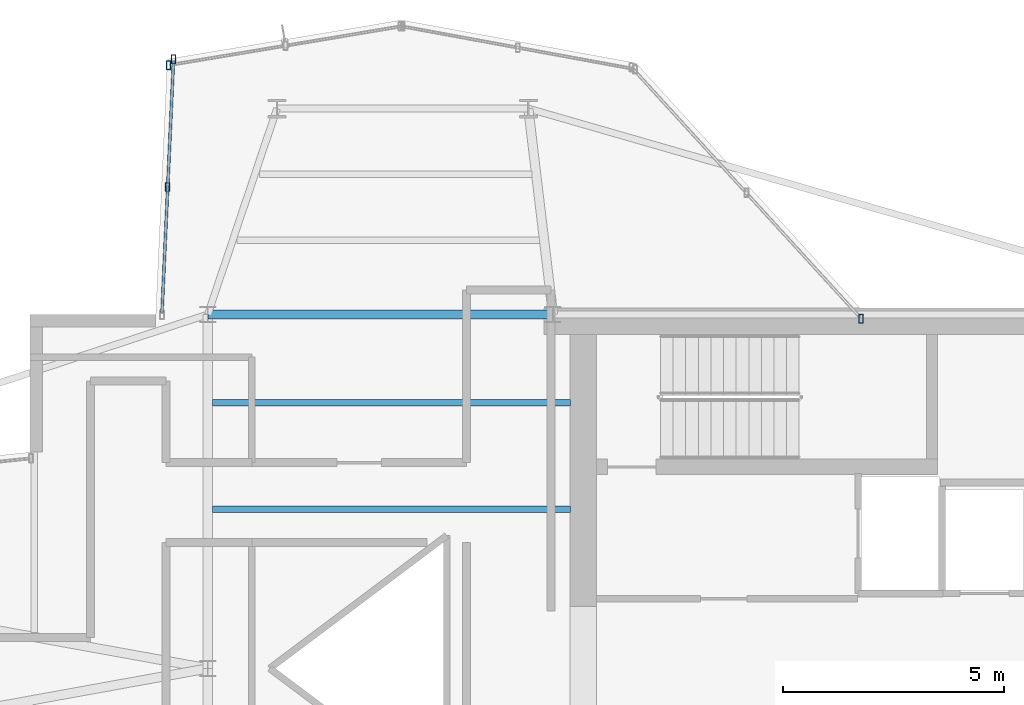
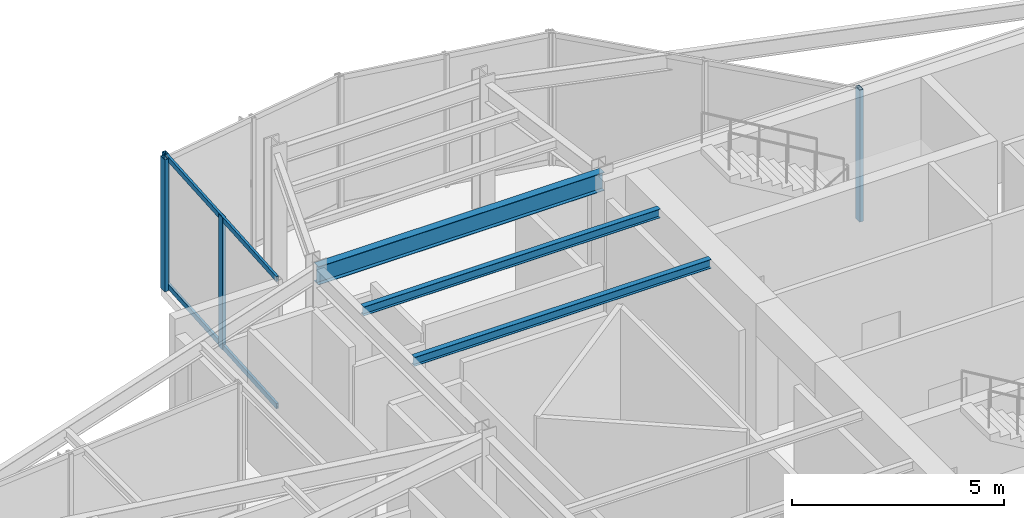
# One storey, part 5 of 14: 6 members, 3 beams, 3 elements without a shape of their own.
"""IFC4 building model written with IfcOpenShell, lengths in metres."""

from ifc_helpers import new_model, si_unit, direction, frame, origin, origin_2d, place, context, subcontext, project, spatial, hollow_rectangle, i_section, extrude, material, layer, layer_set, material_profile, profile_set, type_object, element, aggregate, save


model = new_model("IFC4")

# Units and contexts
model_context = context("Model", 3, precision=1e-05, world=origin(), true_north=direction((0.0, 1.0)))
body_context = subcontext(model_context, "Body", "Model", "MODEL_VIEW")
ifc_project = project(units=[si_unit("LENGTHUNIT", "METRE"), si_unit("AREAUNIT", "SQUARE_METRE"), si_unit("VOLUMEUNIT", "CUBIC_METRE"), si_unit("PLANEANGLEUNIT", "RADIAN"), si_unit("MASSUNIT", "GRAM", prefix="KILO")], contexts=[model_context])

# Site, building, storey
site_placement = place(None, origin())
site = spatial("IfcSite", under=ifc_project, at=site_placement, CompositionType="ELEMENT")
building_placement = place(site_placement, origin())
building = spatial("IfcBuilding", under=site, at=building_placement, Name="Veymaron Broadcast Tower", CompositionType="ELEMENT")
storey_placement = place(building_placement, frame((0.0, 0.0, 283.050048828125)))
storey = spatial("IfcBuildingStorey", under=building, at=storey_placement, Name="L66", CompositionType="ELEMENT", Elevation=283.050048828125)

# Beams
ifc_material_1 = material(Name="Structural steel ASTM A992 Gr 50", Category="steel")
ifc_material_profile_1 = material_profile(ifc_material_1, i_section(OverallWidth=0.208984375, OverallDepth=0.528076171875, WebThickness=0.009521484375, FlangeThickness=0.01318359375, at=origin_2d()), Name="W530X82")
ifc_profile_set_1 = profile_set([ifc_material_profile_1], Name="Structural steel ASTM A992 Gr 50")
beam_type_1 = type_object("IfcBeamType", Name="BM-FG4", PredefinedType="BEAM", material=ifc_profile_set_1)
beam_placement = place(storey_placement, frame((31.199951171875, 32.0, 3.5458984375), z_axis=(1.0, 0.0, 0.0), x_axis=(0.0, 1.0, 0.0)))
element("IfcBeam", 1, at=beam_placement, inside=storey, type_object=beam_type_1, Name="L66 primary structural floor girder", PredefinedType="BEAM", context=body_context, shape_type="SweptSolid", body=[
    extrude(i_section(OverallWidth=0.208984375, OverallDepth=0.528076171875, WebThickness=0.009521484375, FlangeThickness=0.01318359375, at=origin_2d()), origin(), (0.0, 0.0, 1.0), 7.800048828125),
])
ifc_material_profile_2 = material_profile(ifc_material_1, i_section(OverallWidth=0.14599609375, OverallDepth=0.258056640625, WebThickness=0.006103515625, FlangeThickness=0.009033203125, at=origin_2d()), Name="W250X33")
ifc_profile_set_2 = profile_set([ifc_material_profile_2], Name="Structural steel ASTM A992 Gr 50")
beam_type_2 = type_object("IfcBeamType", Name="BM-JS4", PredefinedType="JOIST", material=ifc_profile_set_2)
for number, where, z_axis, x_axis, name in (
    (2, (31.300048828125, 27.60009765625, 3.680908203125), (1.0, 0.0, 0.0), (0.0, 1.0, 0.0), "L66 Hub secondary joist 3"),
    (3, (31.300048828125, 30.0, 3.680908203125), (1.0, 0.0, 0.0), (0.0, 1.0, 0.0), "L66 Hub secondary joist 4"),
):
    element("IfcBeam", number, at=place(storey_placement, frame(where, z_axis=z_axis, x_axis=x_axis)), inside=storey, type_object=beam_type_2, Name=name, PredefinedType="JOIST", context=body_context, shape_type="SweptSolid", body=[
        extrude(i_section(OverallWidth=0.14599609375, OverallDepth=0.258056640625, WebThickness=0.006103515625, FlangeThickness=0.009033203125, at=origin_2d()), origin(), (0.0, 0.0, 1.0), 8.099853515625),
    ])

# Curtain wall, member
ifc_material_2 = material(Name="Anodised aluminium AA 6063-T6 and laminated low-E dark glass", Category="aluminium")
ifc_layer = layer(ifc_material_2, 0.179931640625)
ifc_layer_set = layer_set([ifc_layer], Name="Anodised aluminium AA 6063-T6 and laminated low-E dark glass")
curtain_wall_type = type_object("IfcCurtainWallType", Name="CW-SYS-06", PredefinedType="NOTDEFINED", material=ifc_layer_set)
curtain_wall_1_placement = place(storey_placement, origin())
curtain_wall_1 = element("IfcCurtainWall", 4, at=curtain_wall_1_placement, inside=storey, type_object=curtain_wall_type, Name="L66 dark-glass curtain wall CW-L66-E5-1", PredefinedType="NOTDEFINED")
ifc_material_3 = material(Name="Anodised aluminium AA 6063-T6", Category="aluminium")
ifc_material_profile_3 = material_profile(ifc_material_3, hollow_rectangle(XDim=0.10009765625, YDim=0.199951171875, WallThickness=0.010009765625, at=origin_2d()), Name="RHS200X100X10")
ifc_profile_set_3 = profile_set([ifc_material_profile_3], Name="Anodised aluminium AA 6063-T6")
member_type_1 = type_object("IfcMemberType", Name="CW-MUL-01", PredefinedType="MULLION", material=ifc_profile_set_3)
member_1_placement = place(storey_placement, frame((45.965576171875, 31.905517578125, 0.0), z_axis=(0.0, 0.0, 1.0), x_axis=(1.0, 0.0, 0.0)))
member_1 = element("IfcMember", 5, at=member_1_placement, type_object=member_type_1, Name="CW-L66-E5-1 mullion 0", PredefinedType="MULLION", context=body_context, shape_type="SweptSolid", body=[
    extrude(hollow_rectangle(XDim=0.10009765625, YDim=0.199951171875, WallThickness=0.010009765625, at=origin_2d()), origin(), (0.0, 0.0, 1.0), 3.81005859375),
])
aggregate(curtain_wall_1, [member_1])

curtain_wall_2_placement = place(storey_placement, origin())
curtain_wall_2 = element("IfcCurtainWall", 6, at=curtain_wall_2_placement, inside=storey, type_object=curtain_wall_type, Name="L66 dark-glass curtain wall CW-L66-E7-1", PredefinedType="NOTDEFINED")
member_2_placement = place(storey_placement, frame((30.307861328125, 37.631103515625, 0.0), z_axis=(0.0, 0.0, 1.0), x_axis=(1.0, 0.0, 0.0)))
member_2 = element("IfcMember", 7, at=member_2_placement, type_object=member_type_1, Name="CW-L66-E7-1 mullion 2", PredefinedType="MULLION", context=body_context, shape_type="SweptSolid", body=[
    extrude(hollow_rectangle(XDim=0.10009765625, YDim=0.199951171875, WallThickness=0.010009765625, at=origin_2d()), origin(), (0.0, 0.0, 1.0), 3.81005859375),
])
aggregate(curtain_wall_2, [member_2])

# Curtain wall, members
curtain_wall_3_placement = place(storey_placement, origin())
curtain_wall_3 = element("IfcCurtainWall", 8, at=curtain_wall_3_placement, inside=storey, type_object=curtain_wall_type, Name="L66 dark-glass curtain wall CW-L66-E8-1", PredefinedType="NOTDEFINED")
member_3_placement = place(storey_placement, frame((30.4248046875, 37.7626953125, 0.0), z_axis=(0.0, 0.0, 1.0), x_axis=(1.0, 0.0, 0.0)))
member_3 = element("IfcMember", 9, at=member_3_placement, type_object=member_type_1, Name="CW-L66-E8-1 mullion 0", PredefinedType="MULLION", context=body_context, shape_type="SweptSolid", body=[
    extrude(hollow_rectangle(XDim=0.10009765625, YDim=0.199951171875, WallThickness=0.010009765625, at=origin_2d()), origin(), (0.0, 0.0, 1.0), 3.81005859375),
])
member_4_placement = place(storey_placement, frame((30.293212890625, 34.878173828125, 0.0), z_axis=(0.0, 0.0, 1.0), x_axis=(1.0, 0.0, 0.0)))
member_4 = element("IfcMember", 10, at=member_4_placement, type_object=member_type_1, Name="CW-L66-E8-1 mullion 1", PredefinedType="MULLION", context=body_context, shape_type="SweptSolid", body=[
    extrude(hollow_rectangle(XDim=0.10009765625, YDim=0.199951171875, WallThickness=0.010009765625, at=origin_2d()), origin(), (0.0, 0.0, 1.0), 3.81005859375),
])
ifc_material_profile_4 = material_profile(ifc_material_3, hollow_rectangle(XDim=0.06494140625, YDim=0.14990234375, WallThickness=0.00390625, at=origin_2d()), Name="AL150X65X4")
ifc_profile_set_4 = profile_set([ifc_material_profile_4], Name="Anodised aluminium AA 6063-T6")
member_type_2 = type_object("IfcMemberType", Name="CW-TRN-01", PredefinedType="USERDEFINED", material=ifc_profile_set_4)
member_5_placement = place(storey_placement, frame((30.42236328125, 37.712890625, 0.070068359375), z_axis=(-0.045470103559, -0.998965699953, 0.0), x_axis=(0.998965699953, -0.045470103559, 0.0)))
member_5 = element("IfcMember", 11, at=member_5_placement, type_object=member_type_2, Name="CW-L66-E8-1 transom B", ObjectType="TRANSOM", PredefinedType="USERDEFINED", context=body_context, shape_type="SweptSolid", body=[
    extrude(hollow_rectangle(XDim=0.06494140625, YDim=0.14990234375, WallThickness=0.00390625, at=origin_2d()), origin(), (0.0, 0.0, 1.0), 5.67529296875),
])
member_6_placement = place(storey_placement, frame((30.42236328125, 37.712890625, 3.739990234375), z_axis=(-0.045470103559, -0.998965699953, 0.0), x_axis=(0.998965699953, -0.045470103559, 0.0)))
member_6 = element("IfcMember", 12, at=member_6_placement, type_object=member_type_2, Name="CW-L66-E8-1 transom T", ObjectType="TRANSOM", PredefinedType="USERDEFINED", context=body_context, shape_type="SweptSolid", body=[
    extrude(hollow_rectangle(XDim=0.06494140625, YDim=0.14990234375, WallThickness=0.00390625, at=origin_2d()), origin(), (0.0, 0.0, 1.0), 5.67529296875),
])
aggregate(curtain_wall_3, [member_3, member_4, member_5, member_6])

save(model, "model.ifc")
